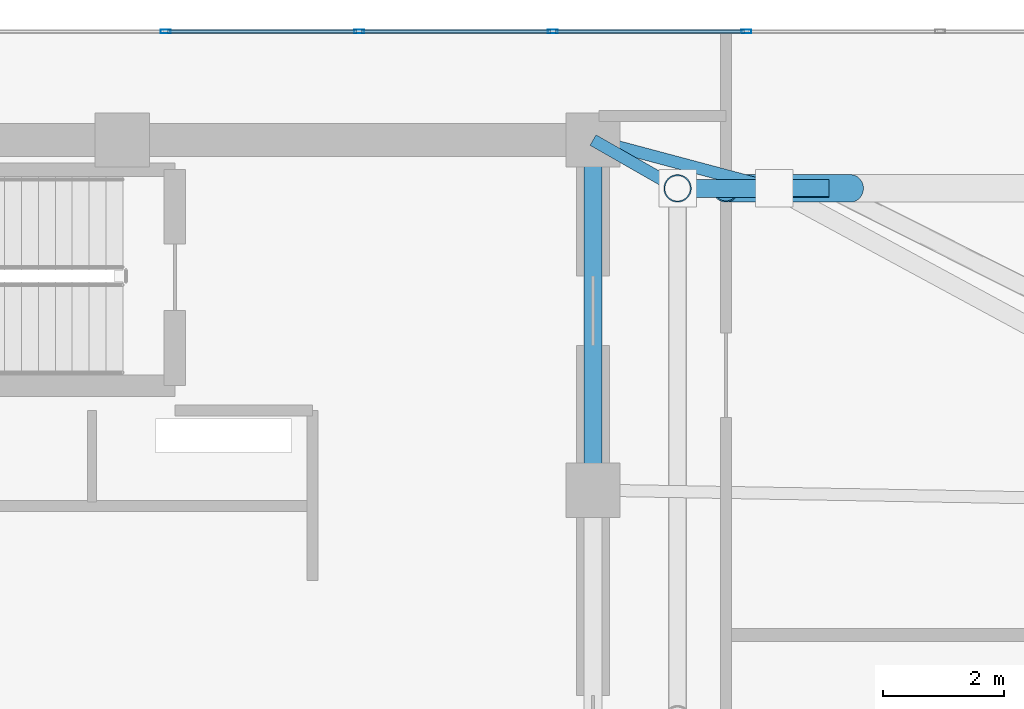
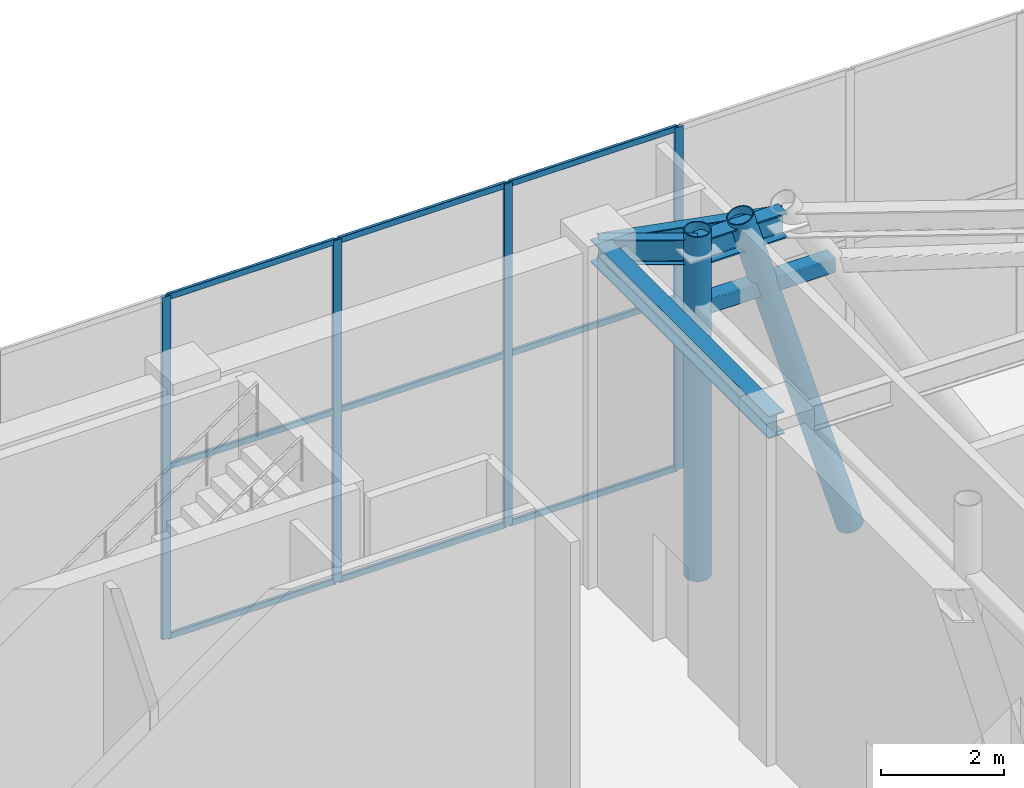
# One storey, part 14 of 23: 16 members, 4 beams, 1 element without a shape of its own.
"""IFC4 building model written with IfcOpenShell, lengths in metres."""

from ifc_helpers import new_model, si_unit, direction, frame, origin, origin_2d, place, context, subcontext, project, spatial, hollow_rectangle, hollow_circle, i_section, extrude, material, layer, layer_set, material_profile, profile_set, type_object, element, aggregate, save


model = new_model("IFC4")

# Units and contexts
model_context = context("Model", 3, precision=1e-05, world=origin(), true_north=direction((0.0, 1.0)))
body_context = subcontext(model_context, "Body", "Model", "MODEL_VIEW")
ifc_project = project(units=[si_unit("LENGTHUNIT", "METRE"), si_unit("AREAUNIT", "SQUARE_METRE"), si_unit("VOLUMEUNIT", "CUBIC_METRE"), si_unit("PLANEANGLEUNIT", "RADIAN"), si_unit("MASSUNIT", "GRAM", prefix="KILO")], contexts=[model_context])

# Site, building, storey
site_placement = place(None, origin())
site = spatial("IfcSite", under=ifc_project, at=site_placement, CompositionType="ELEMENT")
building_placement = place(site_placement, origin())
building = spatial("IfcBuilding", under=site, at=building_placement, Name="An Khanh Terracotta Commons", CompositionType="ELEMENT")
storey_placement = place(building_placement, frame((0.0, 0.0, 322.0)))
storey = spatial("IfcBuildingStorey", under=building, at=storey_placement, Name="L81 Crown Heat-Recovery Plant", CompositionType="ELEMENT", Elevation=322.0)

# Beams
ifc_material_1 = material(Name="Steel S355J2", Category="steel")
ifc_material_profile_1 = material_profile(ifc_material_1, i_section(OverallWidth=0.300048828125, OverallDepth=0.449951171875, WebThickness=0.013916015625, FlangeThickness=0.02587890625, FilletRadius=0.027099609375, at=origin_2d()), Name="HEB450")
ifc_profile_set_1 = profile_set([ifc_material_profile_1], Name="Steel S355J2")
beam_type_1 = type_object("IfcBeamType", Name="BM-HEB450", PredefinedType="BEAM", material=ifc_profile_set_1)
beam_1_placement = place(storey_placement, frame((37.199951171875, 27.800048828125, 6.35498046875), z_axis=(0.0, 1.0, 0.0), x_axis=(-1.0, 0.0, 0.0)))
element("IfcBeam", 1, at=beam_1_placement, inside=storey, type_object=beam_type_1, Name="L81 Crown Heat-Recovery Plant Core East Coupling Girder 3", PredefinedType="BEAM", context=body_context, shape_type="SweptSolid", body=[
    extrude(i_section(OverallWidth=0.300048828125, OverallDepth=0.449951171875, WebThickness=0.013916015625, FlangeThickness=0.02587890625, FilletRadius=0.027099609375, at=origin_2d()), origin(), (0.0, 0.0, 1.0), 5.800048828125),
])
ifc_material_profile_2 = material_profile(ifc_material_1, i_section(OverallWidth=0.300048828125, OverallDepth=0.5, WebThickness=0.014404296875, FlangeThickness=0.028076171875, FilletRadius=0.027099609375, at=origin_2d()), Name="HEB500")
ifc_profile_set_2 = profile_set([ifc_material_profile_2], Name="Steel S355J2")
beam_type_2 = type_object("IfcBeamType", Name="BM-HEB500", PredefinedType="BEAM", material=ifc_profile_set_2)
beam_2_placement = place(storey_placement, frame((40.199951171875, 32.800048828125, 6.330078125), z_axis=(-1.0, 0.0, 0.0), x_axis=(0.0, -1.0, 0.0)))
element("IfcBeam", 2, at=beam_2_placement, inside=storey, type_object=beam_type_2, Name="L81 Crown Heat-Recovery Plant CROWN FRAME Ring Beam 5", PredefinedType="BEAM", context=body_context, shape_type="SweptSolid", body=[
    extrude(i_section(OverallWidth=0.300048828125, OverallDepth=0.5, WebThickness=0.014404296875, FlangeThickness=0.028076171875, FilletRadius=0.027099609375, at=origin_2d()), origin(), (0.0, 0.0, 1.0), 1.599853515625),
])
ifc_material_profile_3 = material_profile(ifc_material_1, i_section(OverallWidth=0.199951171875, OverallDepth=0.5, WebThickness=0.01025390625, FlangeThickness=0.01611328125, FilletRadius=0.02099609375, at=origin_2d()), Name="IPE500")
ifc_profile_set_3 = profile_set([ifc_material_profile_3], Name="Steel S355J2")
beam_type_3 = type_object("IfcBeamType", Name="BM-IPE500", PredefinedType="BEAM", material=ifc_profile_set_3)
beam_3_placement = place(storey_placement, frame((37.199951171875, 33.60009765625, 6.330078125), z_axis=(0.966231024199, -0.25767733287, 0.0), x_axis=(0.25767733287, 0.966231024199, 0.0)))
element("IfcBeam", 3, at=beam_3_placement, inside=storey, type_object=beam_type_3, Name="L81 Crown Heat-Recovery Plant Crown Radial Tie Beam 5", PredefinedType="BEAM", context=body_context, shape_type="SweptSolid", body=[
    extrude(i_section(OverallWidth=0.199951171875, OverallDepth=0.5, WebThickness=0.01025390625, FlangeThickness=0.01611328125, FilletRadius=0.02099609375, at=origin_2d()), origin(), (0.0, 0.0, 1.0), 3.104736328125),
])
beam_4_placement = place(storey_placement, frame((37.199951171875, 33.60009765625, 6.330078125), z_axis=(0.86825245861, -0.496122634152, 0.0), x_axis=(0.496122634152, 0.86825245861, 0.0)))
element("IfcBeam", 4, at=beam_4_placement, inside=storey, type_object=beam_type_3, Name="L81 Crown Heat-Recovery Plant Crown Radial Tie Beam 6", PredefinedType="BEAM", context=body_context, shape_type="SweptSolid", body=[
    extrude(i_section(OverallWidth=0.199951171875, OverallDepth=0.5, WebThickness=0.01025390625, FlangeThickness=0.01611328125, FilletRadius=0.02099609375, at=origin_2d()), origin(), (0.0, 0.0, 1.0), 1.612548828125),
])

# Members
ifc_material_2 = material(Name="Steel S460ML", Category="steel")
ifc_material_profile_4 = material_profile(ifc_material_2, hollow_circle(Radius=0.228515625, WallThickness=0.02001953125, at=origin_2d()), Name="CHS457x20")
ifc_profile_set_4 = profile_set([ifc_material_profile_4], Name="Steel S460ML")
member_type_1 = type_object("IfcMemberType", Name="CROWN FRAME RIB CHS457", PredefinedType="STRUT", material=ifc_profile_set_4)
member_1_placement = place(storey_placement, frame((41.4609375, 32.800048828125, -0.1201171875), z_axis=(-0.288504606457, 0.0, 0.957478507358), x_axis=(0.0, -1.0, 0.0)))
element("IfcMember", 5, at=member_1_placement, inside=storey, type_object=member_type_1, Name="L81 Crown Heat-Recovery Plant CROWN FRAME Facet Strut 5", PredefinedType="STRUT", context=body_context, shape_type="SweptSolid", body=[
    extrude(hollow_circle(Radius=0.228515625, WallThickness=0.02001953125, at=origin_2d()), origin(), (0.0, 0.0, 1.0), 7.143798828125),
])
member_2_placement = place(storey_placement, frame((38.60009765625, 32.800048828125, -0.1201171875), z_axis=(0.0, 0.0, 1.0), x_axis=(1.0, 0.0, 0.0)))
element("IfcMember", 6, at=member_2_placement, inside=storey, type_object=member_type_1, Name="L81 Crown Heat-Recovery Plant CROWN FRAME Corner Raking Rib 6", PredefinedType="STRUT", context=body_context, shape_type="SweptSolid", body=[
    extrude(hollow_circle(Radius=0.228515625, WallThickness=0.02001953125, at=origin_2d()), origin(), (0.0, 0.0, 1.0), 6.840087890625),
])
ifc_material_profile_5 = material_profile(ifc_material_2, hollow_rectangle(XDim=0.300048828125, YDim=0.300048828125, WallThickness=0.01611328125, InnerFilletRadius=0.01611328125, OuterFilletRadius=0.031982421875, at=origin_2d()), Name="SHS300x300x16")
ifc_profile_set_5 = profile_set([ifc_material_profile_5], Name="Steel S460ML")
member_type_2 = type_object("IfcMemberType", Name="CROWN FRAME RING SHS300", PredefinedType="CHORD", material=ifc_profile_set_5)
member_3_placement = place(storey_placement, frame((41.10693359375, 32.800048828125, 5.215087890625), z_axis=(-1.0, 0.0, 0.0), x_axis=(0.0, -1.0, 0.0)))
element("IfcMember", 7, at=member_3_placement, inside=storey, type_object=member_type_2, Name="L81 Crown Heat-Recovery Plant CROWN FRAME Sill Ring Chord 5", PredefinedType="CHORD", context=body_context, shape_type="SweptSolid", body=[
    extrude(hollow_rectangle(XDim=0.300048828125, YDim=0.300048828125, WallThickness=0.01611328125, InnerFilletRadius=0.01611328125, OuterFilletRadius=0.031982421875, at=origin_2d()), origin(), (0.0, 0.0, 1.0), 2.5068359375),
])

# Curtain wall, members
ifc_material_3 = material(Name="Anodised Aluminium 6063-T6", Category="aluminium")
ifc_layer = layer(ifc_material_3, 0.18994140625, Name="Anodised Aluminium 6063-T6")
ifc_layer_set = layer_set([ifc_layer], Name="Anodised Aluminium 6063-T6")
curtain_wall_type = type_object("IfcCurtainWallType", Name="CW-SYS-06", PredefinedType="USERDEFINED", material=ifc_layer_set)
curtain_wall_placement = place(storey_placement, origin())
curtain_wall = element("IfcCurtainWall", 8, at=curtain_wall_placement, inside=storey, type_object=curtain_wall_type, Name="L81 Crown Heat-Recovery Plant CW-06 Unitised Curtain Wall CW-L81-20", ObjectType="UNITISED CURTAIN WALL", PredefinedType="USERDEFINED")
ifc_material_profile_6 = material_profile(ifc_material_3, hollow_rectangle(XDim=0.06494140625, YDim=0.1650390625, WallThickness=0.00390625, InnerFilletRadius=0.00390625, OuterFilletRadius=0.008056640625, at=origin_2d()), Name="RHS165x65x4")
ifc_profile_set_6 = profile_set([ifc_material_profile_6], Name="Anodised Aluminium 6063-T6")
member_type_3 = type_object("IfcMemberType", Name="CWM-RHS165x65x4", PredefinedType="MULLION", material=ifc_profile_set_6)
member_4_placement = place(storey_placement, frame((39.741943359375, 35.39990234375, 0.0), z_axis=(0.0, 0.0, 1.0), x_axis=(0.0, -1.0, 0.0)))
member_4 = element("IfcMember", 9, at=member_4_placement, type_object=member_type_3, Name="CW-06 mullion 4", PredefinedType="MULLION", context=body_context, shape_type="SweptSolid", body=[
    extrude(hollow_rectangle(XDim=0.06494140625, YDim=0.1650390625, WallThickness=0.00390625, InnerFilletRadius=0.00390625, OuterFilletRadius=0.008056640625, at=origin_2d()), origin(), (0.0, 0.0, 1.0), 6.800048828125),
])
member_5_placement = place(storey_placement, frame((36.533447265625, 35.39990234375, 0.0), z_axis=(0.0, 0.0, 1.0), x_axis=(0.0, -1.0, 0.0)))
member_5 = element("IfcMember", 10, at=member_5_placement, type_object=member_type_3, Name="CW-06 mullion 5", PredefinedType="MULLION", context=body_context, shape_type="SweptSolid", body=[
    extrude(hollow_rectangle(XDim=0.06494140625, YDim=0.1650390625, WallThickness=0.00390625, InnerFilletRadius=0.00390625, OuterFilletRadius=0.008056640625, at=origin_2d()), origin(), (0.0, 0.0, 1.0), 6.800048828125),
])
member_6_placement = place(storey_placement, frame((33.3251953125, 35.39990234375, 0.0), z_axis=(0.0, 0.0, 1.0), x_axis=(0.0, -1.0, 0.0)))
member_6 = element("IfcMember", 11, at=member_6_placement, type_object=member_type_3, Name="CW-06 mullion 6", PredefinedType="MULLION", context=body_context, shape_type="SweptSolid", body=[
    extrude(hollow_rectangle(XDim=0.06494140625, YDim=0.1650390625, WallThickness=0.00390625, InnerFilletRadius=0.00390625, OuterFilletRadius=0.008056640625, at=origin_2d()), origin(), (0.0, 0.0, 1.0), 6.800048828125),
])
member_7_placement = place(storey_placement, frame((30.11669921875, 35.39990234375, 0.0), z_axis=(0.0, 0.0, 1.0), x_axis=(0.0, -1.0, 0.0)))
member_7 = element("IfcMember", 12, at=member_7_placement, type_object=member_type_3, Name="CW-06 mullion 7", PredefinedType="MULLION", context=body_context, shape_type="SweptSolid", body=[
    extrude(hollow_rectangle(XDim=0.06494140625, YDim=0.1650390625, WallThickness=0.00390625, InnerFilletRadius=0.00390625, OuterFilletRadius=0.008056640625, at=origin_2d()), origin(), (0.0, 0.0, 1.0), 6.800048828125),
])
ifc_material_profile_7 = material_profile(ifc_material_3, hollow_rectangle(XDim=0.06005859375, YDim=0.1201171875, WallThickness=0.003662109375, InnerFilletRadius=0.003662109375, OuterFilletRadius=0.007080078125, at=origin_2d()), Name="RHS120x60x3.6")
ifc_profile_set_7 = profile_set([ifc_material_profile_7], Name="Anodised Aluminium 6063-T6")
member_type_4 = type_object("IfcMemberType", Name="CWT-RHS120x60x3.6", PredefinedType="USERDEFINED", material=ifc_profile_set_7)
member_8_placement = place(storey_placement, frame((39.70947265625, 35.39990234375, 0.030029296875), z_axis=(-1.0, 0.0, 0.0), x_axis=(0.0, -1.0, 0.0)))
member_8 = element("IfcMember", 13, at=member_8_placement, type_object=member_type_4, Name="CW-06 transom 4.1", ObjectType="TRANSOM", PredefinedType="USERDEFINED", context=body_context, shape_type="SweptSolid", body=[
    extrude(hollow_rectangle(XDim=0.06005859375, YDim=0.1201171875, WallThickness=0.003662109375, InnerFilletRadius=0.003662109375, OuterFilletRadius=0.007080078125, at=origin_2d()), origin(), (0.0, 0.0, 1.0), 3.1435546875),
])
member_9_placement = place(storey_placement, frame((39.70947265625, 35.39990234375, 3.39990234375), z_axis=(-1.0, 0.0, 0.0), x_axis=(0.0, -1.0, 0.0)))
member_9 = element("IfcMember", 14, at=member_9_placement, type_object=member_type_4, Name="CW-06 transom 4.2", ObjectType="TRANSOM", PredefinedType="USERDEFINED", context=body_context, shape_type="SweptSolid", body=[
    extrude(hollow_rectangle(XDim=0.06005859375, YDim=0.1201171875, WallThickness=0.003662109375, InnerFilletRadius=0.003662109375, OuterFilletRadius=0.007080078125, at=origin_2d()), origin(), (0.0, 0.0, 1.0), 3.1435546875),
])
member_10_placement = place(storey_placement, frame((39.70947265625, 35.39990234375, 6.77001953125), z_axis=(-1.0, 0.0, 0.0), x_axis=(0.0, -1.0, 0.0)))
member_10 = element("IfcMember", 15, at=member_10_placement, type_object=member_type_4, Name="CW-06 transom 4.3", ObjectType="TRANSOM", PredefinedType="USERDEFINED", context=body_context, shape_type="SweptSolid", body=[
    extrude(hollow_rectangle(XDim=0.06005859375, YDim=0.1201171875, WallThickness=0.003662109375, InnerFilletRadius=0.003662109375, OuterFilletRadius=0.007080078125, at=origin_2d()), origin(), (0.0, 0.0, 1.0), 3.1435546875),
])
member_11_placement = place(storey_placement, frame((36.5009765625, 35.39990234375, 0.030029296875), z_axis=(-1.0, 0.0, 0.0), x_axis=(0.0, -1.0, 0.0)))
member_11 = element("IfcMember", 16, at=member_11_placement, type_object=member_type_4, Name="CW-06 transom 5.1", ObjectType="TRANSOM", PredefinedType="USERDEFINED", context=body_context, shape_type="SweptSolid", body=[
    extrude(hollow_rectangle(XDim=0.06005859375, YDim=0.1201171875, WallThickness=0.003662109375, InnerFilletRadius=0.003662109375, OuterFilletRadius=0.007080078125, at=origin_2d()), origin(), (0.0, 0.0, 1.0), 3.143310546875),
])
member_12_placement = place(storey_placement, frame((36.5009765625, 35.39990234375, 3.39990234375), z_axis=(-1.0, 0.0, 0.0), x_axis=(0.0, -1.0, 0.0)))
member_12 = element("IfcMember", 17, at=member_12_placement, type_object=member_type_4, Name="CW-06 transom 5.2", ObjectType="TRANSOM", PredefinedType="USERDEFINED", context=body_context, shape_type="SweptSolid", body=[
    extrude(hollow_rectangle(XDim=0.06005859375, YDim=0.1201171875, WallThickness=0.003662109375, InnerFilletRadius=0.003662109375, OuterFilletRadius=0.007080078125, at=origin_2d()), origin(), (0.0, 0.0, 1.0), 3.143310546875),
])
member_13_placement = place(storey_placement, frame((36.5009765625, 35.39990234375, 6.77001953125), z_axis=(-1.0, 0.0, 0.0), x_axis=(0.0, -1.0, 0.0)))
member_13 = element("IfcMember", 18, at=member_13_placement, type_object=member_type_4, Name="CW-06 transom 5.3", ObjectType="TRANSOM", PredefinedType="USERDEFINED", context=body_context, shape_type="SweptSolid", body=[
    extrude(hollow_rectangle(XDim=0.06005859375, YDim=0.1201171875, WallThickness=0.003662109375, InnerFilletRadius=0.003662109375, OuterFilletRadius=0.007080078125, at=origin_2d()), origin(), (0.0, 0.0, 1.0), 3.143310546875),
])
member_14_placement = place(storey_placement, frame((33.292724609375, 35.39990234375, 0.030029296875), z_axis=(-1.0, 0.0, 0.0), x_axis=(0.0, -1.0, 0.0)))
member_14 = element("IfcMember", 19, at=member_14_placement, type_object=member_type_4, Name="CW-06 transom 6.1", ObjectType="TRANSOM", PredefinedType="USERDEFINED", context=body_context, shape_type="SweptSolid", body=[
    extrude(hollow_rectangle(XDim=0.06005859375, YDim=0.1201171875, WallThickness=0.003662109375, InnerFilletRadius=0.003662109375, OuterFilletRadius=0.007080078125, at=origin_2d()), origin(), (0.0, 0.0, 1.0), 3.1435546875),
])
member_15_placement = place(storey_placement, frame((33.292724609375, 35.39990234375, 3.39990234375), z_axis=(-1.0, 0.0, 0.0), x_axis=(0.0, -1.0, 0.0)))
member_15 = element("IfcMember", 20, at=member_15_placement, type_object=member_type_4, Name="CW-06 transom 6.2", ObjectType="TRANSOM", PredefinedType="USERDEFINED", context=body_context, shape_type="SweptSolid", body=[
    extrude(hollow_rectangle(XDim=0.06005859375, YDim=0.1201171875, WallThickness=0.003662109375, InnerFilletRadius=0.003662109375, OuterFilletRadius=0.007080078125, at=origin_2d()), origin(), (0.0, 0.0, 1.0), 3.1435546875),
])
member_16_placement = place(storey_placement, frame((33.292724609375, 35.39990234375, 6.77001953125), z_axis=(-1.0, 0.0, 0.0), x_axis=(0.0, -1.0, 0.0)))
member_16 = element("IfcMember", 21, at=member_16_placement, type_object=member_type_4, Name="CW-06 transom 6.3", ObjectType="TRANSOM", PredefinedType="USERDEFINED", context=body_context, shape_type="SweptSolid", body=[
    extrude(hollow_rectangle(XDim=0.06005859375, YDim=0.1201171875, WallThickness=0.003662109375, InnerFilletRadius=0.003662109375, OuterFilletRadius=0.007080078125, at=origin_2d()), origin(), (0.0, 0.0, 1.0), 3.1435546875),
])
aggregate(curtain_wall, [member_4, member_5, member_6, member_7, member_8, member_9, member_10, member_11, member_12, member_13, member_14, member_15, member_16])

save(model, "model.ifc")
